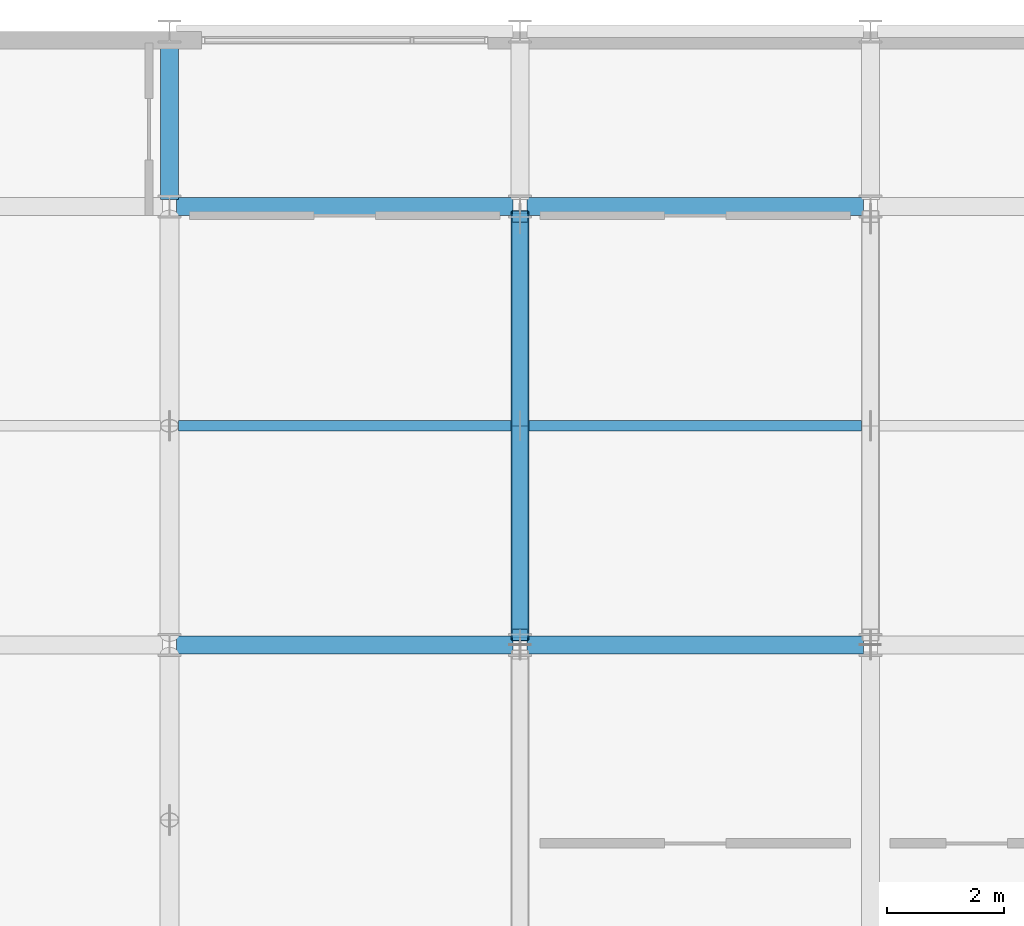
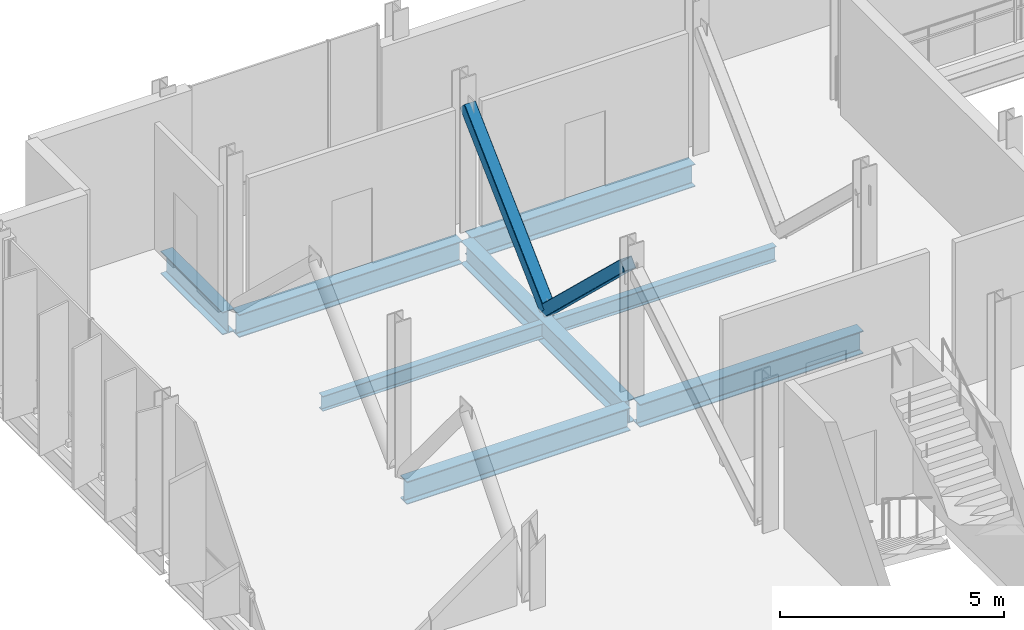
# One storey, part 7 of 33: 8 beams, 2 members.
"""IFC4 building model written with IfcOpenShell, lengths in metres."""

from ifc_helpers import new_model, si_unit, direction, frame, origin, origin_2d, place, context, subcontext, project, spatial, hollow_rectangle, i_section, extrude, material, material_profile, profile_set, type_object, element, save


model = new_model("IFC4")

# Units and contexts
model_context = context("Model", 3, precision=1e-05, world=origin(), true_north=direction((0.0, 1.0)))
body_context = subcontext(model_context, "Body", "Model", "MODEL_VIEW")
ifc_project = project(units=[si_unit("LENGTHUNIT", "METRE"), si_unit("AREAUNIT", "SQUARE_METRE"), si_unit("VOLUMEUNIT", "CUBIC_METRE"), si_unit("PLANEANGLEUNIT", "RADIAN"), si_unit("MASSUNIT", "GRAM", prefix="KILO")], contexts=[model_context])

# Site, building, storey
site_placement = place(None, origin())
site = spatial("IfcSite", under=ifc_project, at=site_placement, CompositionType="ELEMENT")
building_placement = place(site_placement, origin())
building = spatial("IfcBuilding", under=site, at=building_placement, Name="Brevholm Reach", CompositionType="ELEMENT")
storey_placement = place(building_placement, frame((0.0, 0.0, 179.0)))
storey = spatial("IfcBuildingStorey", under=building, at=storey_placement, Name="L54", CompositionType="ELEMENT", Elevation=179.0)

# Beams
ifc_material_1 = material(Name="Structural Steel S355J2", Category="steel")
ifc_material_profile_1 = material_profile(ifc_material_1, i_section(OverallWidth=0.177978515625, OverallDepth=0.406494140625, WebThickness=0.0078125, FlangeThickness=0.0126953125, FilletRadius=0.01025390625, at=origin_2d()), Name="UKB 406x178x60")
ifc_profile_set_1 = profile_set([ifc_material_profile_1], Name="Structural Steel S355J2")
beam_type_1 = type_object("IfcBeamType", Name="BM-B406", PredefinedType="BEAM", material=ifc_profile_set_1)
for number, where, z_axis, x_axis, name in (
    (1, (6.153564453125, 19.75, -0.463134765625), (1.0, 0.0, 0.0), (0.0, 1.0, 0.0), "L54 Composite Secondary Floor Beam"),
    (2, (12.153564453125, 19.75, -0.463134765625), (1.0, 0.0, 0.0), (0.0, 1.0, 0.0), "L54 Composite Secondary Floor Beam"),
):
    element("IfcBeam", number, at=place(storey_placement, frame(where, z_axis=z_axis, x_axis=x_axis)), inside=storey, type_object=beam_type_1, Name=name, PredefinedType="BEAM", context=body_context, shape_type="SweptSolid", body=[
        extrude(i_section(OverallWidth=0.177978515625, OverallDepth=0.406494140625, WebThickness=0.0078125, FlangeThickness=0.0126953125, FilletRadius=0.01025390625, at=origin_2d()), origin(), (0.0, 0.0, 1.0), 5.69287109375),
    ])
ifc_material_2 = material(Name="Structural Steel S355J2", Category="steel")
ifc_material_profile_2 = material_profile(ifc_material_2, i_section(OverallWidth=0.30712890625, OverallDepth=0.6201171875, WebThickness=0.01416015625, FlangeThickness=0.023681640625, FilletRadius=0.0166015625, at=origin_2d()), Name="UKB 610x305x179")
ifc_profile_set_2 = profile_set([ifc_material_profile_2], Name="Structural Steel S355J2")
beam_type_2 = type_object("IfcBeamType", Name="BM-UKB610H", PredefinedType="USERDEFINED", material=ifc_profile_set_2)
for number, where, z_axis, x_axis, name in (
    (3, (6.1201171875, 16.0, -0.570068359375), (1.0, 0.0, 0.0), (0.0, 1.0, 0.0), "L54 G-06 Framing Beam"),
    (4, (12.1201171875, 16.0, -0.570068359375), (1.0, 0.0, 0.0), (0.0, 1.0, 0.0), "L54 G-06 Framing Beam"),
    (5, (6.1201171875, 23.5, -0.570068359375), (1.0, 0.0, 0.0), (0.0, 1.0, 0.0), "L54 G-06 Framing Beam"),
    (6, (12.1201171875, 23.5, -0.570068359375), (1.0, 0.0, 0.0), (0.0, 1.0, 0.0), "L54 G-06 Framing Beam"),
):
    element("IfcBeam", number, at=place(storey_placement, frame(where, z_axis=z_axis, x_axis=x_axis)), inside=storey, type_object=beam_type_2, Name=name, ObjectType="GIRDER", PredefinedType="USERDEFINED", context=body_context, shape_type="SweptSolid", body=[
        extrude(i_section(OverallWidth=0.30712890625, OverallDepth=0.6201171875, WebThickness=0.01416015625, FlangeThickness=0.023681640625, FilletRadius=0.0166015625, at=origin_2d()), origin(), (0.0, 0.0, 1.0), 5.759765625),
    ])
beam_1_placement = place(storey_placement, frame((6.0, 23.6201171875, -0.570068359375), z_axis=(0.0, 1.0, 0.0), x_axis=(-1.0, 0.0, 0.0)))
element("IfcBeam", 7, at=beam_1_placement, inside=storey, type_object=beam_type_2, Name="L54 G-06 Framing Beam", ObjectType="GIRDER", PredefinedType="USERDEFINED", context=body_context, shape_type="SweptSolid", body=[
    extrude(i_section(OverallWidth=0.30712890625, OverallDepth=0.6201171875, WebThickness=0.01416015625, FlangeThickness=0.023681640625, FilletRadius=0.0166015625, at=origin_2d()), origin(), (0.0, 0.0, 1.0), 2.759765625),
])
beam_2_placement = place(storey_placement, frame((12.0, 16.1201171875, -0.570068359375), z_axis=(0.0, 1.0, 0.0), x_axis=(-1.0, 0.0, 0.0)))
element("IfcBeam", 8, at=beam_2_placement, inside=storey, type_object=beam_type_2, Name="L54 G-06 Framing Beam", ObjectType="GIRDER", PredefinedType="USERDEFINED", context=body_context, shape_type="SweptSolid", body=[
    extrude(i_section(OverallWidth=0.30712890625, OverallDepth=0.6201171875, WebThickness=0.01416015625, FlangeThickness=0.023681640625, FilletRadius=0.0166015625, at=origin_2d()), origin(), (0.0, 0.0, 1.0), 7.259765625),
])

# Members
ifc_material_3 = material(Name="Structural Steel S460NH", Category="steel")
ifc_material_profile_3 = material_profile(ifc_material_3, hollow_rectangle(XDim=0.300048828125, YDim=0.300048828125, WallThickness=0.012451171875, InnerFilletRadius=0.011962890625, OuterFilletRadius=0.02392578125, at=origin_2d()), Name="SHS 300x300x12.5")
ifc_profile_set_3 = profile_set([ifc_material_profile_3], Name="Structural Steel S460NH")
member_type = type_object("IfcMemberType", Name="MEM-OB-SHS300", PredefinedType="BRACE", material=ifc_profile_set_3)
for number, where, z_axis, x_axis, name in (
    (9, (12.0, 16.169921875, 3.435546875), (0.0, 0.723539227798, -0.690283264927), (-1.0, 0.0, 0.0), "L54 Outrigger Truss Diagonal X12.2"),
    (10, (12.0, 19.75, 0.02001953125), (0.0, 0.723539227798, 0.690283264927), (-1.0, 0.0, 0.0), "L54 Outrigger Truss Diagonal X12.3"),
):
    element("IfcMember", number, at=place(storey_placement, frame(where, z_axis=z_axis, x_axis=x_axis)), inside=storey, type_object=member_type, Name=name, PredefinedType="BRACE", context=body_context, shape_type="SweptSolid", body=[
        extrude(hollow_rectangle(XDim=0.300048828125, YDim=0.300048828125, WallThickness=0.012451171875, InnerFilletRadius=0.011962890625, OuterFilletRadius=0.02392578125, at=origin_2d()), origin(), (0.0, 0.0, 1.0), 4.947998046875),
    ])

save(model, "model.ifc")
